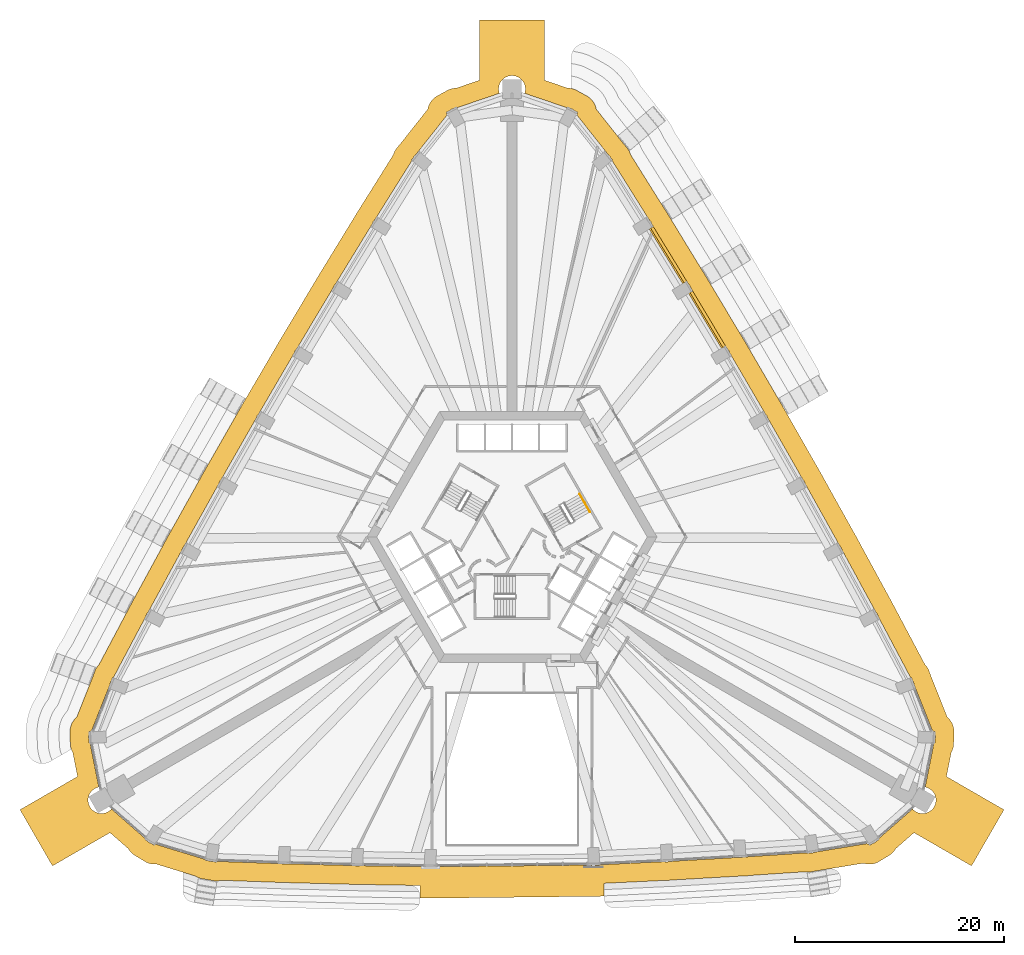
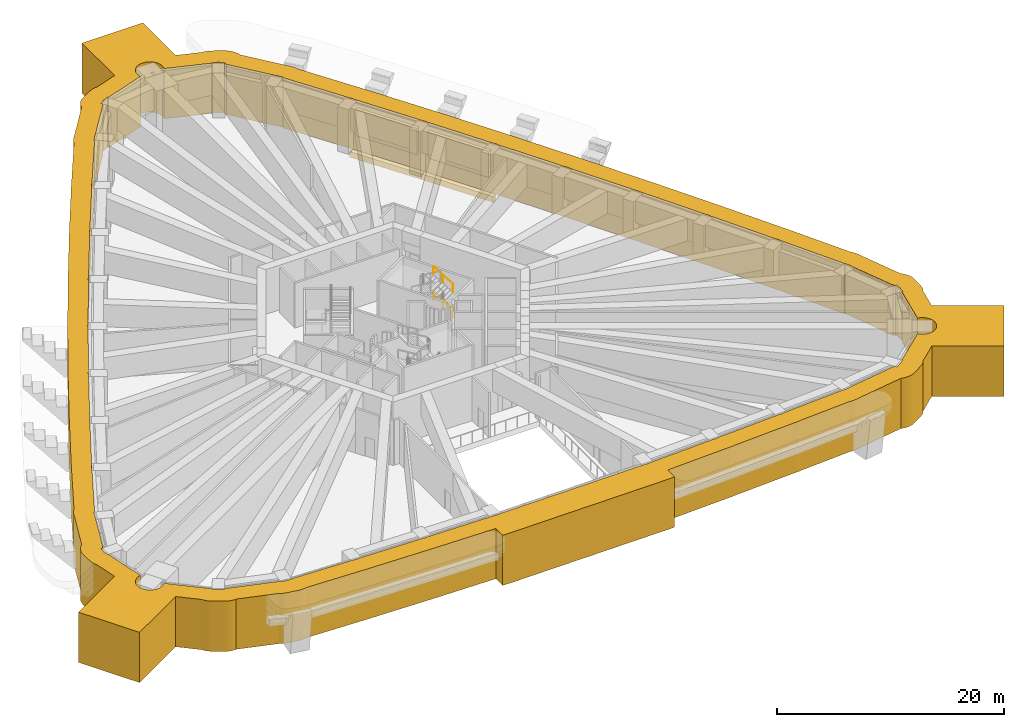
# One storey, part 20 of 22: 3 coverings, 2 railings, 2 shading devices.
"""IFC4 building model written with IfcOpenShell, lengths in metres."""

import ifcopenshell
import ifcopenshell.guid

model = None  # the IFC model being written
_history = None  # IfcOwnerHistory: only IFC2X3 demands one
_inside = {}  # id of a spatial element -> (the spatial element, [elements in it])
_under = {}  # id of a project, library or spatial element -> (it, [spatial elements below it])
_declared = {}  # id of a project -> (the project, [libraries it declares])
_typed = {}  # id of a type object -> (the type object, [elements of that type])
_made_of = {}  # id of a material, layer set ... -> (it, [elements and type objects made of it])


def new_model(schema):
    """Start an empty IFC model of exactly this schema.

    Asked for "IFC4X3", IfcOpenShell would pick the latest addendum, in which some entities
    have other attributes; the version numbers below select the first issue.
    IFC2X3 requires an IfcOwnerHistory on every rooted entity: one is made here for all.
    """
    global model, _history
    if schema == "IFC4X3":
        model = ifcopenshell.file(schema_version=(4, 3, 0, 0))
    else:
        model = ifcopenshell.file(schema=schema)
    _inside.clear()
    _under.clear()
    _declared.clear()
    _typed.clear()
    _made_of.clear()
    _history = None
    if model.schema == "IFC2X3":
        org = make("IfcOrganization", Name="unknown")
        user = make(
            "IfcPersonAndOrganization",
            ThePerson=make("IfcPerson", FamilyName="unknown"),
            TheOrganization=org,
        )
        app = make(
            "IfcApplication",
            ApplicationDeveloper=org,
            Version="unknown",
            ApplicationFullName="unknown",
            ApplicationIdentifier="unknown",
        )
        _history = make(
            "IfcOwnerHistory",
            OwningUser=user,
            OwningApplication=app,
            ChangeAction="ADDED",
            CreationDate=0,
        )
    return model


def make(cls, **values):
    """One entity of the class cls with the attributes given. An attribute that is None is left unset."""
    return model.create_entity(
        cls, **{name: value for name, value in values.items() if value is not None}
    )


def rooted(cls, **values):
    """An entity with a GlobalId (a new one), such as an element, a storey or a relation."""
    return make(cls, GlobalId=ifcopenshell.guid.new(), OwnerHistory=_history, **values)


def si_unit(unit_type, name, prefix=None):
    """IfcSIUnit, for example si_unit("LENGTHUNIT", "METRE", prefix="MILLI")."""
    return make("IfcSIUnit", UnitType=unit_type, Prefix=prefix, Name=name)


def assignment(units):
    """IfcUnitAssignment: the units of a project."""
    return None if units is None else make("IfcUnitAssignment", Units=units)


def point(xyz):
    """IfcCartesianPoint."""
    return None if xyz is None else make("IfcCartesianPoint", Coordinates=xyz)


def direction(xyz):
    """IfcDirection."""
    return None if xyz is None else make("IfcDirection", DirectionRatios=xyz)


def frame(location, z_axis=None, x_axis=None):
    """IfcAxis2Placement3D, a coordinate frame: its origin and axes. An axis left out is left unset."""
    return make(
        "IfcAxis2Placement3D",
        Location=point(location),
        Axis=direction(z_axis),
        RefDirection=direction(x_axis),
    )


def frame_2d(location, x_axis=None):
    """IfcAxis2Placement2D, a coordinate frame in the plane: its origin and x axis."""
    return make(
        "IfcAxis2Placement2D", Location=point(location), RefDirection=direction(x_axis)
    )


def origin():
    """The frame at (0, 0, 0) with its axes left unset."""
    return frame((0.0, 0.0, 0.0))


def origin_2d():
    """The frame at (0, 0) in the plane with its x axis left unset."""
    return frame_2d((0.0, 0.0))


def place(relative_to, where):
    """IfcLocalPlacement: puts the frame where relative to a parent placement (None: the world)."""
    return make(
        "IfcLocalPlacement", PlacementRelTo=relative_to, RelativePlacement=where
    )


def context(
    kind, dimensions, precision=None, world=None, true_north=None, identifier=None
):
    """IfcGeometricRepresentationContext, for example the 3D "Model" context."""
    return make(
        "IfcGeometricRepresentationContext",
        ContextIdentifier=identifier,
        ContextType=kind,
        CoordinateSpaceDimension=dimensions,
        Precision=precision,
        WorldCoordinateSystem=world,
        TrueNorth=true_north,
    )


def subcontext(parent, identifier, kind, view, scale=None):
    """IfcGeometricRepresentationSubContext, for example "Body" below "Model"."""
    return make(
        "IfcGeometricRepresentationSubContext",
        ContextIdentifier=identifier,
        ContextType=kind,
        ParentContext=parent,
        TargetScale=scale,
        TargetView=view,
    )


def project(units=None, contexts=None):
    """IfcProject with its units and contexts."""
    return rooted(
        "IfcProject",
        Name="project",
        RepresentationContexts=contexts,
        UnitsInContext=assignment(units),
    )


def spatial(cls, under=None, at=None, **own):
    """A site, building, storey or space (cls), placed at a placement, below another one or the project."""
    s = rooted(cls, ObjectPlacement=at, **own)
    if under is not None:
        _under.setdefault(under.id(), (under, []))[1].append(s)
    return s


def polyline(points):
    """IfcPolyline through the points."""
    return make("IfcPolyline", Points=[point(p) for p in points])


def profile(cls, at=None, kind="AREA", **sizes):
    """A parametric profile (cls). Its sizes go by their IFC names, for example OverallWidth=200.0."""
    return make(cls, ProfileType=kind, Position=at, **sizes)


def rectangle(**sizes):
    """IfcRectangleProfileDef."""
    return profile("IfcRectangleProfileDef", **sizes)


def circle(**sizes):
    """IfcCircleProfileDef."""
    return profile("IfcCircleProfileDef", **sizes)


def outline(outer, holes=None, kind="AREA"):
    """IfcArbitraryClosedProfileDef: a profile drawn as a closed curve; with holes, ...WithVoids."""
    if holes is None:
        return make("IfcArbitraryClosedProfileDef", ProfileType=kind, OuterCurve=outer)
    return make(
        "IfcArbitraryProfileDefWithVoids",
        ProfileType=kind,
        OuterCurve=outer,
        InnerCurves=holes,
    )


def extrude(swept, where, along, depth):
    """IfcExtrudedAreaSolid: the profile swept, set in the frame where, extruded along a direction by depth."""
    return make(
        "IfcExtrudedAreaSolid",
        SweptArea=swept,
        Position=where,
        ExtrudedDirection=direction(along),
        Depth=depth,
    )


def shape(context_of_items, identifier, shape_type, items):
    """IfcShapeRepresentation: the items that make up one representation, for example the "Body"."""
    return make(
        "IfcShapeRepresentation",
        ContextOfItems=context_of_items,
        RepresentationIdentifier=identifier,
        RepresentationType=shape_type,
        Items=items,
    )


def material(Name=None, Category=None):
    """IfcMaterial."""
    return make("IfcMaterial", Name=Name, Category=Category)


def layer(
    of_material, thickness, ventilated=None, Name=None, Category=None, Priority=None
):
    """IfcMaterialLayer: one layer of a wall or slab, of a material (None: an air gap)."""
    return make(
        "IfcMaterialLayer",
        Material=of_material,
        LayerThickness=thickness,
        IsVentilated=ventilated,
        Name=Name,
        Category=Category,
        Priority=Priority,
    )


def layer_set(layers, Name=None):
    """IfcMaterialLayerSet."""
    return make("IfcMaterialLayerSet", MaterialLayers=layers, LayerSetName=Name)


def made_of(thing, what):
    """Note that an element or type object is made of a material, layer set ...; save() writes the relation."""
    if what is not None:
        _made_of.setdefault(what.id(), (what, []))[1].append(thing)
    return thing


def type_object(cls, material=None, **own):
    """A type object (cls), such as IfcWallType, which elements share."""
    return made_of(rooted(cls, **own), material)


def element(
    cls,
    number,
    at=None,
    inside=None,
    cuts=None,
    type_object=None,
    material=None,
    context=None,
    identifier="Body",
    shape_type=None,
    held_by="IfcProductDefinitionShape",
    body=None,
    shapes=None,
    **own,
):
    """One element of the class cls, such as IfcWall. Its Tag is "e" and its number.

    at: its placement. inside: the storey or other place that contains it. cuts: it is an
    opening in that element (IfcRelVoidsElement). A single representation is given by context,
    identifier, shape_type and body (its items); several are given by shapes. held_by: the class
    of the entity that holds the representations. save() writes the other relations.
    """
    e = rooted(cls, Tag="e%d" % number, ObjectPlacement=at, **own)
    if body is not None:
        shapes = [shape(context, identifier, shape_type, body)]
    if shapes is not None:
        e.Representation = make(held_by, Representations=shapes)
    if inside is not None:
        _inside.setdefault(inside.id(), (inside, []))[1].append(e)
    if cuts is not None:
        rooted(
            "IfcRelVoidsElement", RelatingBuildingElement=cuts, RelatedOpeningElement=e
        )
    if type_object is not None:
        _typed.setdefault(type_object.id(), (type_object, []))[1].append(e)
    return made_of(e, material)


def aggregate(whole, parts):
    """IfcRelAggregates: a whole, such as a stair, and the parts it consists of."""
    return rooted("IfcRelAggregates", RelatingObject=whole, RelatedObjects=parts)


def save(model, path):
    """Write the relations noted so far, then the file.

    IfcRelAggregates (storeys below a building ...), IfcRelContainedInSpatialStructure (elements
    in a storey), IfcRelDefinesByType, IfcRelAssociatesMaterial and IfcRelDeclares: one each for
    every whole, place, type object, material and project.
    """
    for whole, parts in _under.values():
        aggregate(whole, parts)
    for where, things in _inside.values():
        rooted(
            "IfcRelContainedInSpatialStructure",
            RelatedElements=things,
            RelatingStructure=where,
        )
    for kind, things in _typed.values():
        rooted("IfcRelDefinesByType", RelatedObjects=things, RelatingType=kind)
    for what, things in _made_of.values():
        rooted("IfcRelAssociatesMaterial", RelatedObjects=things, RelatingMaterial=what)
    for by, libraries in _declared.values():
        rooted("IfcRelDeclares", RelatingContext=by, RelatedDefinitions=libraries)
    model.write(path)


model = new_model("IFC4")

# Units and contexts
model_context = context("Model", 3, precision=1e-05, world=origin(), true_north=direction((0.0, 1.0)))
body_context = subcontext(model_context, "Body", "Model", "MODEL_VIEW")
ifc_project = project(units=[si_unit("LENGTHUNIT", "METRE"), si_unit("AREAUNIT", "SQUARE_METRE"), si_unit("VOLUMEUNIT", "CUBIC_METRE"), si_unit("PLANEANGLEUNIT", "RADIAN"), si_unit("MASSUNIT", "GRAM", prefix="KILO")], contexts=[model_context])

# Site, building, storey
site_placement = place(None, origin())
site = spatial("IfcSite", under=ifc_project, at=site_placement, CompositionType="ELEMENT")
building_placement = place(site_placement, origin())
building = spatial("IfcBuilding", under=site, at=building_placement, Name="Entoto Arch Interchange Tower", CompositionType="ELEMENT")
storey_placement = place(building_placement, frame((0.0, 0.0, 132.800048828125)))
storey = spatial("IfcBuildingStorey", under=building, at=storey_placement, Name="L29", CompositionType="ELEMENT", Elevation=132.800048828125)

# Shading devices
ifc_material_1 = material(Name="Aluminium, anodised", Category="aluminium")
ifc_layer = layer(ifc_material_1, 0.300048828125)
ifc_layer_set = layer_set([ifc_layer], Name="Aluminium, anodised")
shading_device_type = type_object("IfcShadingDeviceType", Name="PLANT LOUVRE ALUMINIUM", PredefinedType="JALOUSIE", material=ifc_layer_set)
shading_device_1_placement = place(storey_placement, frame((18.712890625, 23.304931640625, 1.19970703125), z_axis=(0.0, 0.0, 1.0), x_axis=(-0.513151821694, 0.858297854997, 0.0)))
element("IfcShadingDevice", 1, at=shading_device_1_placement, inside=storey, type_object=shading_device_type, Name="Plant louvre NE-06 L29", PredefinedType="JALOUSIE", context=body_context, shape_type="SweptSolid", body=[
    extrude(rectangle(XDim=6.118896484375, YDim=0.300048828125, at=origin_2d()), origin(), (0.0, 0.0, 1.0), 2.800048828125),
])
shading_device_2_placement = place(storey_placement, frame((14.97705078125, 29.47998046875, 1.19970703125), z_axis=(0.0, 0.0, 1.0), x_axis=(-0.521977619024, 0.85295918146, 0.0)))
element("IfcShadingDevice", 2, at=shading_device_2_placement, inside=storey, type_object=shading_device_type, Name="Plant louvre NE-07 L29", PredefinedType="JALOUSIE", context=body_context, shape_type="SweptSolid", body=[
    extrude(rectangle(XDim=6.12109375, YDim=0.300048828125, at=origin_2d()), origin(), (0.0, 0.0, 1.0), 2.800048828125),
])

# Coverings
ifc_material_2 = material(Name="Board-marked precast concrete C50/60", Category="concrete")
covering_type_1 = type_object("IfcCoveringType", Name="PRECAST FRAME COURSE", PredefinedType="CLADDING", material=ifc_material_2)
covering_1_placement = place(storey_placement, frame((0.0, 0.0, -0.60009765625)))
element("IfcCovering", 3, at=covering_1_placement, inside=storey, type_object=covering_type_1, Name="Zone frame L29", PredefinedType="CLADDING", context=body_context, shape_type="SweptSolid", body=[
    extrude(outline(polyline([(-41.98193359375, -18.095947265625), (-41.988037109375, -18.0859375), (-42.068115234375, -17.927978515625), (-42.131103515625, -17.762939453125), (-42.177978515625, -17.593017578125), (-42.2080078125, -17.4189453125), (-42.220947265625, -17.242919921875), (-42.24609375, -16.14306640625), (-42.241943359375, -15.967041015625), (-42.219970703125, -15.791015625), (-42.180908203125, -15.618896484375), (-42.125, -15.450927734375), (-42.053955078125, -15.2900390625), (-41.966064453125, -15.135986328125), (-41.864990234375, -14.991943359375), (-41.7490234375, -14.85791015625), (-41.62109375, -14.737060546875), (-41.60595703125, -14.72509765625), (-40.050048828125, -10.80810546875), (-39.865966796875, -10.31201171875), (-39.797119140625, -10.14990234375), (-39.7119140625, -9.9951171875), (-39.612060546875, -9.84912109375), (-39.498046875, -9.714111328125), (-39.468017578125, -9.68408203125), (-36.72705078125, -4.51806640625), (-36.72412109375, -4.510986328125), (-36.20703125, -3.5400390625), (-36.197998046875, -3.52294921875), (-33.281005859375, 1.8310546875), (-33.27001953125, 1.85302734375), (-32.742919921875, 2.818115234375), (-32.735107421875, 2.83203125), (-29.77099609375, 8.14306640625), (-29.751953125, 8.180908203125), (-29.212890625, 9.139892578125), (-29.2060546875, 9.15087890625), (-26.197021484375, 14.41796875), (-26.1689453125, 14.47412109375), (-25.618896484375, 15.426025390625), (-25.614013671875, 15.43505859375), (-22.56201171875, 20.654052734375), (-22.52294921875, 20.72900390625), (-21.9619140625, 21.675048828125), (-21.9580078125, 21.680908203125), (-18.863037109375, 26.85302734375), (-18.81201171875, 26.946044921875), (-18.239990234375, 27.885986328125), (-18.238037109375, 27.889892578125), (-15.10107421875, 33.013916015625), (-15.0380859375, 33.126953125), (-14.455078125, 34.05908203125), (-11.346923828125, 39.02294921875), (-11.3369140625, 39.06298828125), (-11.27587890625, 39.22900390625), (-11.199951171875, 39.388916015625), (-11.10888671875, 39.5400390625), (-11.0029296875, 39.680908203125), (-10.6650390625, 40.087890625), (-8.051025390625, 43.39306640625), (-8.048095703125, 43.412109375), (-8.007080078125, 43.583984375), (-7.948974609375, 43.75), (-7.875, 43.910888671875), (-7.785888671875, 44.06298828125), (-7.681884765625, 44.2060546875), (-7.56396484375, 44.337890625), (-7.43408203125, 44.4580078125), (-7.2939453125, 44.56396484375), (-7.14306640625, 44.656982421875), (-6.177978515625, 45.18408203125), (-6.01904296875, 45.260986328125), (-5.85302734375, 45.322021484375), (-5.681884765625, 45.366943359375), (-5.508056640625, 45.39404296875), (-5.3310546875, 45.405029296875), (-5.321044921875, 45.404052734375), (-3.10009765625, 46.159912109375), (-3.10009765625, 51.9140625), (3.10009765625, 51.9140625), (3.10009765625, 46.159912109375), (5.321044921875, 45.404052734375), (5.3310546875, 45.405029296875), (5.508056640625, 45.39404296875), (5.681884765625, 45.366943359375), (5.85302734375, 45.322021484375), (6.01904296875, 45.260986328125), (6.177978515625, 45.18408203125), (7.14306640625, 44.656982421875), (7.2939453125, 44.56396484375), (7.43408203125, 44.4580078125), (7.56396484375, 44.337890625), (7.681884765625, 44.2060546875), (7.785888671875, 44.06298828125), (7.875, 43.910888671875), (7.948974609375, 43.75), (8.007080078125, 43.583984375), (8.048095703125, 43.412109375), (8.051025390625, 43.39306640625), (10.6650390625, 40.087890625), (11.0029296875, 39.680908203125), (11.10888671875, 39.5400390625), (11.199951171875, 39.388916015625), (11.27587890625, 39.22900390625), (11.3369140625, 39.06298828125), (11.346923828125, 39.02294921875), (14.449951171875, 34.06591796875), (14.455078125, 34.05908203125), (15.0380859375, 33.126953125), (15.048095703125, 33.111083984375), (18.22607421875, 27.906982421875), (18.239990234375, 27.885986328125), (18.81201171875, 26.946044921875), (18.821044921875, 26.93310546875), (21.93798828125, 21.7109375), (21.9619140625, 21.675048828125), (22.52294921875, 20.72900390625), (22.529052734375, 20.718017578125), (25.5859375, 15.47802734375), (25.618896484375, 15.426025390625), (26.1689453125, 14.47412109375), (26.174072265625, 14.465087890625), (29.16796875, 9.2109375), (29.212890625, 9.139892578125), (29.751953125, 8.180908203125), (29.7548828125, 8.175048828125), (32.68701171875, 2.908935546875), (32.742919921875, 2.818115234375), (33.27001953125, 1.85302734375), (33.27197265625, 1.84912109375), (36.139892578125, -3.427001953125), (36.20703125, -3.5400390625), (36.72412109375, -4.510986328125), (39.468017578125, -9.68505859375), (39.498046875, -9.714111328125), (39.612060546875, -9.84912109375), (39.7119140625, -9.9951171875), (39.797119140625, -10.14990234375), (39.865966796875, -10.31201171875), (40.050048828125, -10.80810546875), (41.60595703125, -14.72509765625), (41.62109375, -14.737060546875), (41.7490234375, -14.85791015625), (41.864990234375, -14.991943359375), (41.966064453125, -15.135986328125), (42.053955078125, -15.2900390625), (42.125, -15.450927734375), (42.180908203125, -15.618896484375), (42.219970703125, -15.791015625), (42.241943359375, -15.967041015625), (42.24609375, -16.14306640625), (42.220947265625, -17.242919921875), (42.2080078125, -17.4189453125), (42.177978515625, -17.593017578125), (42.131103515625, -17.762939453125), (42.068115234375, -17.927978515625), (41.988037109375, -18.0859375), (41.98193359375, -18.095947265625), (41.52587890625, -20.39599609375), (47.027099609375, -23.572021484375), (43.927001953125, -28.94189453125), (38.425048828125, -25.764892578125), (36.660888671875, -27.31005859375), (36.656005859375, -27.319091796875), (36.55908203125, -27.467041015625), (36.447998046875, -27.60400390625), (36.323974609375, -27.72998046875), (36.18798828125, -27.843017578125), (36.0419921875, -27.94189453125), (35.10205078125, -28.513916015625), (34.947021484375, -28.59912109375), (34.784912109375, -28.66796875), (34.615966796875, -28.719970703125), (34.443115234375, -28.756103515625), (34.26708984375, -28.77392578125), (34.091064453125, -28.77490234375), (33.9150390625, -28.759033203125), (33.740966796875, -28.72607421875), (33.597900390625, -28.68408203125), (29.080078125, -29.419921875), (28.544921875, -29.510986328125), (28.368896484375, -29.531982421875), (28.193115234375, -29.535888671875), (28.01611328125, -29.52197265625), (27.924072265625, -29.506103515625), (22.695068359375, -29.85888671875), (22.577880859375, -29.881103515625), (22.402099609375, -29.89501953125), (21.873046875, -29.9140625), (15.69091796875, -30.26904296875), (15.56396484375, -30.291015625), (15.387939453125, -30.303955078125), (14.860107421875, -30.31689453125), (8.800048828125, -30.60595703125), (8.800048828125, -31.80908203125), (8.6708984375, -31.830078125), (8.376953125, -31.846923828125), (7.830078125, -31.85205078125), (-6.967041015625, -32.01611328125), (-6.98291015625, -32.01806640625), (-7.278076171875, -32.030029296875), (-8.376953125, -32.02001953125), (-8.39990234375, -32.02001953125), (-8.800048828125, -32.012939453125), (-8.800048828125, -30.81298828125), (-14.18408203125, -30.722900390625), (-14.2880859375, -30.72607421875), (-15.387939453125, -30.698974609375), (-15.39111328125, -30.698974609375), (-21.1708984375, -30.550048828125), (-21.302978515625, -30.551025390625), (-22.402099609375, -30.511962890625), (-27.802001953125, -30.319091796875), (-27.842041015625, -30.3310546875), (-28.01611328125, -30.361083984375), (-28.193115234375, -30.375), (-28.368896484375, -30.37109375), (-28.544921875, -30.35009765625), (-29.62890625, -30.1650390625), (-29.801025390625, -30.126953125), (-29.968994140625, -30.072021484375), (-30.131103515625, -30.0009765625), (-30.284912109375, -29.9140625), (-30.304931640625, -29.89990234375), (-34.0029296875, -28.76708984375), (-34.091064453125, -28.77490234375), (-34.26708984375, -28.77392578125), (-34.443115234375, -28.756103515625), (-34.615966796875, -28.719970703125), (-34.784912109375, -28.66796875), (-34.947021484375, -28.59912109375), (-35.10205078125, -28.513916015625), (-36.0419921875, -27.94189453125), (-36.18798828125, -27.843017578125), (-36.323974609375, -27.72998046875), (-36.447998046875, -27.60400390625), (-36.55908203125, -27.467041015625), (-36.656005859375, -27.319091796875), (-36.660888671875, -27.31005859375), (-38.425048828125, -25.764892578125), (-43.927001953125, -28.94189453125), (-47.027099609375, -23.572021484375), (-41.52587890625, -20.39599609375), (-41.98193359375, -18.095947265625)]), holes=[polyline([(-35.055908203125, -26.322998046875), (-35.10595703125, -26.405029296875), (-34.84912109375, -26.56103515625), (-34.8291015625, -26.5830078125), (-34.760986328125, -26.64501953125), (-34.68701171875, -26.698974609375), (-34.60888671875, -26.7470703125), (-34.52587890625, -26.785888671875), (-34.43896484375, -26.81689453125), (-34.422119140625, -26.821044921875), (-34.166015625, -26.97705078125), (-34.093017578125, -26.85693359375), (-29.31396484375, -28.321044921875), (-29.325927734375, -28.39111328125), (-29.031005859375, -28.44091796875), (-28.990966796875, -28.4599609375), (-28.904052734375, -28.490966796875), (-28.81494140625, -28.512939453125), (-28.72509765625, -28.527099609375), (-28.633056640625, -28.531005859375), (-28.541015625, -28.527099609375), (-28.534912109375, -28.52587890625), (-28.241943359375, -28.574951171875), (-28.22900390625, -28.5029296875), (-22.339111328125, -28.712890625), (-22.339111328125, -28.714111328125), (-22.0419921875, -28.72412109375), (-22.028076171875, -28.72900390625), (-21.93896484375, -28.7509765625), (-21.84912109375, -28.764892578125), (-21.757080078125, -28.76904296875), (-21.6650390625, -28.764892578125), (-21.574951171875, -28.7509765625), (-21.5380859375, -28.741943359375), (-21.239013671875, -28.751953125), (-21.239013671875, -28.7470703125), (-15.344970703125, -28.89892578125), (-15.344970703125, -28.89990234375), (-15.047119140625, -28.906982421875), (-15.0439453125, -28.907958984375), (-14.955078125, -28.929931640625), (-14.864990234375, -28.944091796875), (-14.77294921875, -28.947998046875), (-14.680908203125, -28.944091796875), (-14.591064453125, -28.929931640625), (-14.5458984375, -28.9189453125), (-14.2451171875, -28.926025390625), (-14.2451171875, -28.922119140625), (-8.800048828125, -29.009033203125), (-8.35009765625, -29.01611328125), (-8.35009765625, -29.02001953125), (-8.052001953125, -29.02294921875), (-7.97412109375, -29.0419921875), (-7.884033203125, -29.055908203125), (-7.7919921875, -29.06005859375), (-7.699951171875, -29.055908203125), (-7.610107421875, -29.0419921875), (-7.550048828125, -29.027099609375), (-7.25, -29.030029296875), (-7.25, -29.01904296875), (7.552001953125, -28.85498046875), (7.610107421875, -28.868896484375), (7.699951171875, -28.883056640625), (7.7919921875, -28.886962890625), (7.884033203125, -28.883056640625), (7.97412109375, -28.868896484375), (8.052001953125, -28.85009765625), (8.35009765625, -28.846923828125), (8.35009765625, -28.825927734375), (14.56591796875, -28.529052734375), (14.591064453125, -28.534912109375), (14.680908203125, -28.549072265625), (14.77294921875, -28.552978515625), (14.864990234375, -28.549072265625), (14.955078125, -28.534912109375), (15.0439453125, -28.512939453125), (15.047119140625, -28.511962890625), (15.344970703125, -28.5048828125), (15.343994140625, -28.486083984375), (21.555908203125, -28.12890625), (21.574951171875, -28.134033203125), (21.6650390625, -28.14794921875), (21.757080078125, -28.152099609375), (21.84912109375, -28.14794921875), (21.93896484375, -28.134033203125), (22.028076171875, -28.112060546875), (22.0419921875, -28.10693359375), (22.339111328125, -28.096923828125), (22.337890625, -28.0791015625), (28.23193359375, -27.680908203125), (28.241943359375, -27.736083984375), (28.534912109375, -27.68701171875), (28.541015625, -27.68798828125), (28.633056640625, -27.69189453125), (28.72509765625, -27.68798828125), (28.81494140625, -27.674072265625), (28.904052734375, -27.652099609375), (28.990966796875, -27.62109375), (29.02490234375, -27.60498046875), (33.885986328125, -26.81298828125), (33.89697265625, -26.81689453125), (33.986083984375, -26.839111328125), (34.075927734375, -26.85302734375), (34.091064453125, -26.85302734375), (34.166015625, -26.97705078125), (34.422119140625, -26.821044921875), (34.43896484375, -26.81689453125), (34.52587890625, -26.785888671875), (34.60888671875, -26.7470703125), (34.68701171875, -26.698974609375), (34.760986328125, -26.64501953125), (34.8291015625, -26.5830078125), (34.84912109375, -26.56103515625), (35.10595703125, -26.405029296875), (35.055908203125, -26.322998046875), (38.281982421875, -23.498046875), (38.337890625, -23.56103515625), (38.430908203125, -23.64501953125), (38.531982421875, -23.718994140625), (38.639892578125, -23.783935546875), (38.7529296875, -23.837890625), (38.87109375, -23.8798828125), (38.992919921875, -23.909912109375), (39.116943359375, -23.928955078125), (39.241943359375, -23.93505859375), (39.366943359375, -23.928955078125), (39.490966796875, -23.909912109375), (39.613037109375, -23.8798828125), (39.73095703125, -23.837890625), (39.843994140625, -23.783935546875), (39.951904296875, -23.718994140625), (40.052978515625, -23.64501953125), (40.14599609375, -23.56103515625), (40.22998046875, -23.468017578125), (40.303955078125, -23.366943359375), (40.368896484375, -23.259033203125), (40.423095703125, -23.14599609375), (40.465087890625, -23.028076171875), (40.4951171875, -22.906005859375), (40.513916015625, -22.781982421875), (40.52001953125, -22.656982421875), (40.513916015625, -22.531982421875), (40.4951171875, -22.407958984375), (40.465087890625, -22.285888671875), (40.423095703125, -22.16796875), (40.368896484375, -22.054931640625), (40.303955078125, -21.947021484375), (40.22998046875, -21.845947265625), (40.14599609375, -21.7529296875), (40.052978515625, -21.6689453125), (39.951904296875, -21.594970703125), (39.843994140625, -21.530029296875), (39.73095703125, -21.47607421875), (39.613037109375, -21.43408203125), (39.490966796875, -21.404052734375), (39.490966796875, -21.404052734375), (40.324951171875, -17.198974609375), (40.4208984375, -17.200927734375), (40.427978515625, -16.903076171875), (40.428955078125, -16.90087890625), (40.450927734375, -16.81201171875), (40.465087890625, -16.721923828125), (40.468994140625, -16.6298828125), (40.465087890625, -16.5380859375), (40.450927734375, -16.447998046875), (40.43994140625, -16.403076171875), (40.447021484375, -16.10107421875), (40.302001953125, -16.097900390625), (40.257080078125, -16.037109375), (40.195068359375, -15.968994140625), (40.14501953125, -15.923095703125), (38.455078125, -11.6689453125), (38.44189453125, -11.583984375), (38.419921875, -11.4951171875), (38.388916015625, -11.407958984375), (38.35009765625, -11.324951171875), (38.302001953125, -11.2470703125), (38.282958984375, -11.219970703125), (38.177978515625, -10.93701171875), (38.10888671875, -10.962890625), (35.134033203125, -5.35595703125), (35.134033203125, -5.35595703125), (34.992919921875, -5.091064453125), (34.97607421875, -5.02099609375), (34.945068359375, -4.93408203125), (34.906005859375, -4.85107421875), (34.85791015625, -4.77294921875), (34.803955078125, -4.698974609375), (34.758056640625, -4.64892578125), (34.617919921875, -4.384033203125), (34.613037109375, -4.386962890625), (31.68994140625, 0.989013671875), (31.69091796875, 0.989013671875), (31.5458984375, 1.25390625), (31.531982421875, 1.31103515625), (31.5009765625, 1.39794921875), (31.4619140625, 1.48095703125), (31.4140625, 1.55908203125), (31.360107421875, 1.633056640625), (31.306884765625, 1.69091796875), (31.1630859375, 1.955078125), (31.158935546875, 1.951904296875), (28.180908203125, 7.299072265625), (28.181884765625, 7.300048828125), (28.033935546875, 7.56298828125), (28.02294921875, 7.60888671875), (27.991943359375, 7.696044921875), (27.952880859375, 7.779052734375), (27.905029296875, 7.85693359375), (27.85107421875, 7.930908203125), (27.7890625, 7.9990234375), (27.64404296875, 8.258056640625), (27.639892578125, 8.257080078125), (24.60791015625, 13.572021484375), (24.610107421875, 13.573974609375), (24.4609375, 13.8330078125), (24.450927734375, 13.87109375), (24.419921875, 13.9580078125), (24.381103515625, 14.041015625), (24.3330078125, 14.118896484375), (24.279052734375, 14.193115234375), (24.217041015625, 14.260986328125), (24.208984375, 14.26904296875), (24.06005859375, 14.52587890625), (24.05810546875, 14.52490234375), (20.970947265625, 19.80908203125), (20.97509765625, 19.81103515625), (20.822021484375, 20.069091796875), (20.81494140625, 20.095947265625), (20.783935546875, 20.18310546875), (20.7451171875, 20.26611328125), (20.697021484375, 20.343994140625), (20.64306640625, 20.41796875), (20.5810546875, 20.486083984375), (20.56591796875, 20.5), (20.4130859375, 20.757080078125), (20.412109375, 20.756103515625), (17.27099609375, 26.008056640625), (17.27490234375, 26.010009765625), (17.118896484375, 26.26611328125), (17.114990234375, 26.282958984375), (17.083984375, 26.3701171875), (17.044921875, 26.452880859375), (16.9970703125, 26.531005859375), (16.943115234375, 26.60498046875), (16.881103515625, 26.673095703125), (16.85888671875, 26.693115234375), (16.702880859375, 26.949951171875), (16.701904296875, 26.948974609375), (13.507080078125, 32.169921875), (13.511962890625, 32.173095703125), (13.35400390625, 32.425048828125), (13.35205078125, 32.43310546875), (13.321044921875, 32.52001953125), (13.281982421875, 32.60302734375), (13.23388671875, 32.680908203125), (13.179931640625, 32.7548828125), (13.117919921875, 32.822998046875), (13.0869140625, 32.85107421875), (12.927978515625, 33.10498046875), (12.927978515625, 33.10498046875), (9.56005859375, 38.485107421875), (9.616943359375, 38.531982421875), (9.425048828125, 38.763916015625), (9.39794921875, 38.821044921875), (9.35009765625, 38.89892578125), (9.2958984375, 38.972900390625), (9.23388671875, 39.041015625), (9.166015625, 39.10302734375), (9.125, 39.133056640625), (6.282958984375, 42.72607421875), (6.281982421875, 42.73291015625), (6.260009765625, 42.822021484375), (6.22900390625, 42.908935546875), (6.2099609375, 42.948974609375), (6.280029296875, 43.076904296875), (6.01611328125, 43.220947265625), (5.9580078125, 43.27392578125), (5.884033203125, 43.327880859375), (5.805908203125, 43.3759765625), (5.722900390625, 43.4150390625), (5.635986328125, 43.446044921875), (5.5791015625, 43.4599609375), (5.31396484375, 43.60498046875), (5.26904296875, 43.52099609375), (1.2080078125, 44.903076171875), (1.222900390625, 44.943115234375), (1.2529296875, 45.06494140625), (1.27197265625, 45.18896484375), (1.278076171875, 45.31396484375), (1.27197265625, 45.43896484375), (1.2529296875, 45.56298828125), (1.222900390625, 45.68505859375), (1.180908203125, 45.802978515625), (1.126953125, 45.916015625), (1.06201171875, 46.02392578125), (0.988037109375, 46.125), (0.904052734375, 46.218017578125), (0.81103515625, 46.302001953125), (0.7099609375, 46.3759765625), (0.60205078125, 46.44091796875), (0.489013671875, 46.4951171875), (0.37109375, 46.537109375), (0.2490234375, 46.56689453125), (0.125, 46.5859375), (0.0, 46.592041015625), (-0.125, 46.5859375), (-0.2490234375, 46.56689453125), (-0.37109375, 46.537109375), (-0.489013671875, 46.4951171875), (-0.60205078125, 46.44091796875), (-0.7099609375, 46.3759765625), (-0.81103515625, 46.302001953125), (-0.904052734375, 46.218017578125), (-0.988037109375, 46.125), (-1.06201171875, 46.02392578125), (-1.126953125, 45.916015625), (-1.180908203125, 45.802978515625), (-1.222900390625, 45.68505859375), (-1.2529296875, 45.56298828125), (-1.27197265625, 45.43896484375), (-1.278076171875, 45.31396484375), (-1.27197265625, 45.18896484375), (-1.2529296875, 45.06494140625), (-1.222900390625, 44.943115234375), (-1.2080078125, 44.903076171875), (-5.26904296875, 43.52099609375), (-5.31396484375, 43.60498046875), (-5.5791015625, 43.4599609375), (-5.635986328125, 43.446044921875), (-5.722900390625, 43.4150390625), (-5.805908203125, 43.3759765625), (-5.884033203125, 43.327880859375), (-5.9580078125, 43.27392578125), (-6.01611328125, 43.220947265625), (-6.280029296875, 43.076904296875), (-6.2099609375, 42.948974609375), (-6.22900390625, 42.908935546875), (-6.260009765625, 42.822021484375), (-6.281982421875, 42.73291015625), (-6.282958984375, 42.72607421875), (-9.125, 39.133056640625), (-9.166015625, 39.10302734375), (-9.23388671875, 39.041015625), (-9.2958984375, 38.972900390625), (-9.35009765625, 38.89892578125), (-9.39794921875, 38.821044921875), (-9.425048828125, 38.763916015625), (-9.616943359375, 38.531982421875), (-9.56005859375, 38.485107421875), (-12.927978515625, 33.10498046875), (-12.927978515625, 33.10498046875), (-13.0869140625, 32.85107421875), (-13.117919921875, 32.822998046875), (-13.179931640625, 32.7548828125), (-13.23388671875, 32.680908203125), (-13.281982421875, 32.60302734375), (-13.321044921875, 32.52001953125), (-13.35205078125, 32.43310546875), (-13.35400390625, 32.425048828125), (-13.511962890625, 32.173095703125), (-13.507080078125, 32.169921875), (-16.701904296875, 26.948974609375), (-16.702880859375, 26.949951171875), (-16.85888671875, 26.693115234375), (-16.881103515625, 26.673095703125), (-16.943115234375, 26.60498046875), (-16.9970703125, 26.531005859375), (-17.044921875, 26.452880859375), (-17.083984375, 26.3701171875), (-17.114990234375, 26.282958984375), (-17.118896484375, 26.26611328125), (-17.27490234375, 26.010009765625), (-17.27099609375, 26.008056640625), (-20.412109375, 20.756103515625), (-20.4130859375, 20.757080078125), (-20.56591796875, 20.5), (-20.5810546875, 20.486083984375), (-20.64306640625, 20.41796875), (-20.697021484375, 20.343994140625), (-20.7451171875, 20.26611328125), (-20.783935546875, 20.18310546875), (-20.81494140625, 20.095947265625), (-20.822021484375, 20.069091796875), (-20.97509765625, 19.81103515625), (-20.970947265625, 19.80908203125), (-24.05810546875, 14.52490234375), (-24.06005859375, 14.52587890625), (-24.208984375, 14.26904296875), (-24.217041015625, 14.260986328125), (-24.279052734375, 14.193115234375), (-24.3330078125, 14.118896484375), (-24.381103515625, 14.041015625), (-24.419921875, 13.9580078125), (-24.450927734375, 13.87109375), (-24.4609375, 13.8330078125), (-24.610107421875, 13.573974609375), (-24.60791015625, 13.572021484375), (-27.639892578125, 8.257080078125), (-27.64404296875, 8.258056640625), (-27.7890625, 7.9990234375), (-27.85107421875, 7.930908203125), (-27.905029296875, 7.85693359375), (-27.952880859375, 7.779052734375), (-27.991943359375, 7.696044921875), (-28.02294921875, 7.60888671875), (-28.033935546875, 7.56298828125), (-28.181884765625, 7.300048828125), (-28.180908203125, 7.299072265625), (-31.158935546875, 1.951904296875), (-31.1630859375, 1.955078125), (-31.306884765625, 1.69091796875), (-31.360107421875, 1.633056640625), (-31.4140625, 1.55908203125), (-31.4619140625, 1.48095703125), (-31.5009765625, 1.39794921875), (-31.531982421875, 1.31103515625), (-31.5458984375, 1.25390625), (-31.69091796875, 0.989013671875), (-31.68994140625, 0.989013671875), (-34.613037109375, -4.386962890625), (-34.617919921875, -4.384033203125), (-34.758056640625, -4.64892578125), (-34.803955078125, -4.698974609375), (-34.85791015625, -4.77294921875), (-34.906005859375, -4.85107421875), (-34.945068359375, -4.93408203125), (-34.97607421875, -5.02099609375), (-34.992919921875, -5.091064453125), (-35.134033203125, -5.35595703125), (-35.134033203125, -5.35595703125), (-38.10888671875, -10.962890625), (-38.177978515625, -10.93701171875), (-38.282958984375, -11.219970703125), (-38.302001953125, -11.2470703125), (-38.35009765625, -11.324951171875), (-38.388916015625, -11.407958984375), (-38.419921875, -11.4951171875), (-38.44189453125, -11.583984375), (-38.455078125, -11.6689453125), (-40.14501953125, -15.923095703125), (-40.195068359375, -15.968994140625), (-40.257080078125, -16.037109375), (-40.302001953125, -16.097900390625), (-40.447021484375, -16.10107421875), (-40.43994140625, -16.403076171875), (-40.450927734375, -16.447998046875), (-40.465087890625, -16.5380859375), (-40.468994140625, -16.6298828125), (-40.465087890625, -16.721923828125), (-40.450927734375, -16.81201171875), (-40.428955078125, -16.90087890625), (-40.427978515625, -16.903076171875), (-40.4208984375, -17.200927734375), (-40.324951171875, -17.198974609375), (-39.490966796875, -21.404052734375), (-39.490966796875, -21.404052734375), (-39.613037109375, -21.43408203125), (-39.73095703125, -21.47607421875), (-39.843994140625, -21.530029296875), (-39.951904296875, -21.594970703125), (-40.052978515625, -21.6689453125), (-40.14599609375, -21.7529296875), (-40.22998046875, -21.845947265625), (-40.303955078125, -21.947021484375), (-40.368896484375, -22.054931640625), (-40.423095703125, -22.16796875), (-40.465087890625, -22.285888671875), (-40.4951171875, -22.407958984375), (-40.513916015625, -22.531982421875), (-40.52001953125, -22.656982421875), (-40.513916015625, -22.781982421875), (-40.4951171875, -22.906005859375), (-40.465087890625, -23.028076171875), (-40.423095703125, -23.14599609375), (-40.368896484375, -23.259033203125), (-40.303955078125, -23.366943359375), (-40.22998046875, -23.468017578125), (-40.14599609375, -23.56103515625), (-40.052978515625, -23.64501953125), (-39.951904296875, -23.718994140625), (-39.843994140625, -23.783935546875), (-39.73095703125, -23.837890625), (-39.613037109375, -23.8798828125), (-39.490966796875, -23.909912109375), (-39.366943359375, -23.928955078125), (-39.241943359375, -23.93505859375), (-39.116943359375, -23.928955078125), (-38.992919921875, -23.909912109375), (-38.87109375, -23.8798828125), (-38.7529296875, -23.837890625), (-38.639892578125, -23.783935546875), (-38.531982421875, -23.718994140625), (-38.430908203125, -23.64501953125), (-38.337890625, -23.56103515625), (-38.281982421875, -23.498046875), (-35.055908203125, -26.322998046875)])]), origin(), (0.0, 0.0, 1.0), 5.400146484375),
])
covering_type_2 = type_object("IfcCoveringType", Name="PRECAST LEDGE COURSE", PredefinedType="CLADDING", material=ifc_material_2)
covering_2_placement = place(storey_placement, frame((0.0, 0.0, -1.199951171875)))
element("IfcCovering", 4, at=covering_2_placement, inside=storey, type_object=covering_type_2, Name="Precast course NE-06 L29", PredefinedType="CLADDING", context=body_context, shape_type="SweptSolid", body=[
    extrude(outline(polyline([(16.60009765625, 26.243896484375), (16.989013671875, 26.47998046875), (20.694091796875, 20.283935546875), (20.305908203125, 20.053955078125), (16.60009765625, 26.243896484375)])), origin(), (0.0, 0.0, 1.0), 0.599853515625),
])
covering_3_placement = place(storey_placement, frame((0.0, 0.0, -1.199951171875)))
element("IfcCovering", 5, at=covering_3_placement, inside=storey, type_object=covering_type_2, Name="Precast course NE-07 L29", PredefinedType="CLADDING", context=body_context, shape_type="SweptSolid", body=[
    extrude(outline(polyline([(12.8291015625, 32.39404296875), (13.219970703125, 32.638916015625), (16.989013671875, 26.47998046875), (16.60009765625, 26.243896484375), (12.8291015625, 32.39404296875)])), origin(), (0.0, 0.0, 1.0), 0.599853515625),
])

# Railings
ifc_material_3 = material(Name="Stainless steel 1.4301", Category="steel")
railing_type = type_object("IfcRailingType", Name="STAIR HANDRAIL 900 STEEL", PredefinedType="HANDRAIL", material=ifc_material_3)
railing_1_placement = place(storey_placement, frame((7.4501953125, 4.89599609375, 0.168701171875)))
element("IfcRailing", 6, at=railing_1_placement, inside=storey, type_object=railing_type, Name="L29 ST-NE stair handrail 1", PredefinedType="HANDRAIL", context=body_context, shape_type="SweptSolid", body=[
    extrude(circle(Radius=0.02392578125, at=origin_2d()), frame((0.0, 0.0, 0.8759765625), z_axis=(-0.428228158944, 0.741771397394, 0.516135484049), x_axis=(-0.866042469362, -0.499970440388, 0.0)), (0.0, 0.0, 1.0), 2.28857421875),
    extrude(circle(Radius=0.02099609375, at=origin_2d()), origin(), (0.0, 0.0, 1.0), 0.851806640625),
    extrude(circle(Radius=0.02099609375, at=origin_2d()), frame((-0.489990234375, 0.8486328125, 0.590576171875)), (0.0, 0.0, 1.0), 0.851806640625),
    extrude(circle(Radius=0.02099609375, at=origin_2d()), frame((-0.97998046875, 1.697509765625, 1.18115234375)), (0.0, 0.0, 1.0), 0.851806640625),
])
railing_2_placement = place(storey_placement, frame((7.4501953125, 4.89599609375, 2.86865234375)))
element("IfcRailing", 7, at=railing_2_placement, inside=storey, type_object=railing_type, Name="L29 ST-NE stair handrail 3", PredefinedType="HANDRAIL", context=body_context, shape_type="SweptSolid", body=[
    extrude(circle(Radius=0.02392578125, at=origin_2d()), frame((0.0, 0.0, 0.8759765625), z_axis=(-0.428204578836, 0.741730552229, 0.516213741153), x_axis=(-0.866042469362, -0.499970440388, 0.0)), (0.0, 0.0, 1.0), 2.28857421875),
    extrude(circle(Radius=0.02099609375, at=origin_2d()), origin(), (0.0, 0.0, 1.0), 0.851806640625),
    extrude(circle(Radius=0.02099609375, at=origin_2d()), frame((-0.489990234375, 0.8486328125, 0.5908203125)), (0.0, 0.0, 1.0), 0.851806640625),
    extrude(circle(Radius=0.02099609375, at=origin_2d()), frame((-0.97998046875, 1.697509765625, 1.181396484375)), (0.0, 0.0, 1.0), 0.851806640625),
])

save(model, "model.ifc")
